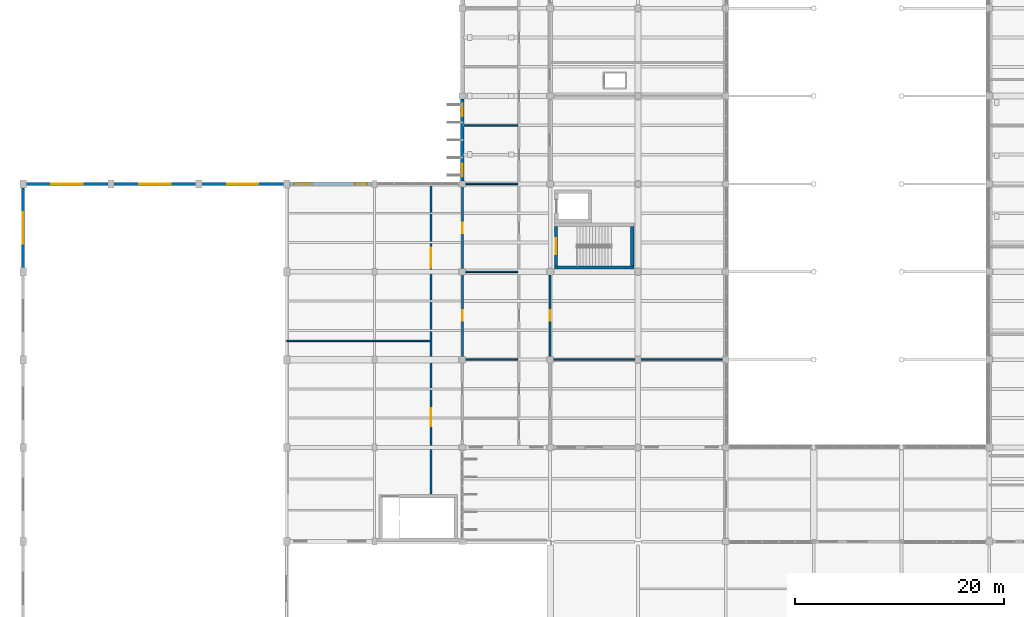
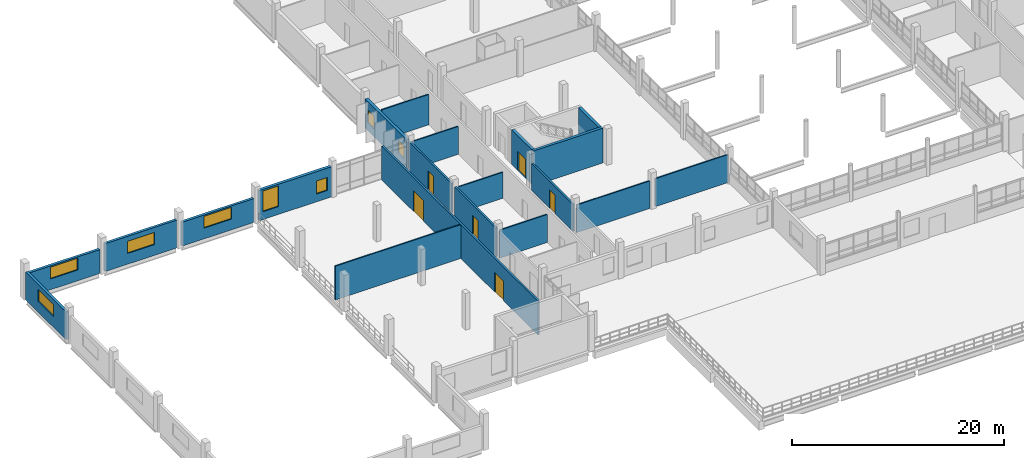
# One storey, part 83 of 101: 20 walls, 8 windows, 6 doors, 14 openings.
"""IFC4 building model written with IfcOpenShell, lengths in metres."""

from ifc_helpers import new_model, si_unit, direction, frame, frame_2d, origin, place, context, subcontext, project, spatial, rectangle, extrude, material, layer, layer_set, type_object, element, fill, save


model = new_model("IFC4")

# Units and contexts
model_context = context("Model", 3, precision=1e-05, world=origin(), true_north=direction((0.0, 1.0)))
body_context = subcontext(model_context, "Body", "Model", "MODEL_VIEW")
ifc_project = project(units=[si_unit("LENGTHUNIT", "METRE"), si_unit("AREAUNIT", "SQUARE_METRE"), si_unit("VOLUMEUNIT", "CUBIC_METRE"), si_unit("PLANEANGLEUNIT", "RADIAN"), si_unit("MASSUNIT", "GRAM", prefix="KILO")], contexts=[model_context])

# Site, building, storey
site_placement = place(None, origin())
site = spatial("IfcSite", under=ifc_project, at=site_placement, CompositionType="ELEMENT")
building_placement = place(site_placement, origin())
building = spatial("IfcBuilding", under=site, at=building_placement, Name="Vireocrest Preparatory School", CompositionType="ELEMENT")
storey_placement = place(building_placement, frame((0.0, 0.0, 4.800048828125)))
storey = spatial("IfcBuildingStorey", under=building, at=storey_placement, Name="L01", CompositionType="ELEMENT", Elevation=4.800048828125)

# Walls
ifc_material_1 = material(Name="Gypsum board on cold-formed steel studs", Category="steel")
ifc_layer_1 = layer(ifc_material_1, 0.139892578125)
ifc_layer_set_1 = layer_set([ifc_layer_1], Name="Gypsum board on cold-formed steel studs")
wall_type_1 = type_object("IfcWallType", Name="Classroom Acoustic Partition Wall 140", PredefinedType="PARTITIONING", material=ifc_layer_set_1)
wall_1_placement = place(storey_placement, frame((25.2099609375, 37.199951171875, 0.0), z_axis=(0.0, 0.0, 1.0), x_axis=(1.0, 0.0, 0.0)))
element("IfcWall", 1, at=wall_1_placement, inside=storey, type_object=wall_type_1, Name="Interior Partition W03 IW_L01_0121", PredefinedType="PARTITIONING", context=body_context, shape_type="SweptSolid", body=[
    extrude(rectangle(XDim=13.68505859375, YDim=0.139892578125, at=frame_2d((6.842529296875, 0.0))), origin(), (0.0, 0.0, 1.0), 3.89990234375),
])
wall_2_placement = place(storey_placement, frame((42.10498046875, 35.39990234375, 0.0), z_axis=(0.0, 0.0, 1.0), x_axis=(1.0, 0.0, 0.0)))
element("IfcWall", 2, at=wall_2_placement, inside=storey, type_object=wall_type_1, Name="Interior Partition W03 IW_L01_0124", PredefinedType="PARTITIONING", context=body_context, shape_type="SweptSolid", body=[
    extrude(rectangle(XDim=5.18994140625, YDim=0.139892578125, at=frame_2d((2.594970703125, 0.0))), origin(), (0.0, 0.0, 1.0), 3.22998046875),
])
wall_3_placement = place(storey_placement, frame((42.10498046875, 43.800048828125, 0.0), z_axis=(0.0, 0.0, 1.0), x_axis=(1.0, 0.0, 0.0)))
element("IfcWall", 3, at=wall_3_placement, inside=storey, type_object=wall_type_1, Name="Interior Partition W03 IW_L01_0125", PredefinedType="PARTITIONING", context=body_context, shape_type="SweptSolid", body=[
    extrude(rectangle(XDim=5.18994140625, YDim=0.139892578125, at=frame_2d((2.594970703125, 0.0))), origin(), (0.0, 0.0, 1.0), 3.010009765625),
])
wall_4_placement = place(storey_placement, frame((42.1650390625, 52.199951171875, 0.0), z_axis=(0.0, 0.0, 1.0), x_axis=(1.0, 0.0, 0.0)))
element("IfcWall", 4, at=wall_4_placement, inside=storey, type_object=wall_type_1, Name="Interior Partition W03 IW_L01_0126", PredefinedType="PARTITIONING", context=body_context, shape_type="SweptSolid", body=[
    extrude(rectangle(XDim=5.1298828125, YDim=0.139892578125, at=frame_2d((2.56494140625, 0.0))), origin(), (0.0, 0.0, 1.0), 3.2099609375),
])
wall_5_placement = place(storey_placement, frame((42.1650390625, 57.800048828125, 0.0), z_axis=(0.0, 0.0, 1.0), x_axis=(1.0, 0.0, 0.0)))
element("IfcWall", 5, at=wall_5_placement, inside=storey, type_object=wall_type_1, Name="Interior Partition W03 IW_L01_0127", PredefinedType="PARTITIONING", context=body_context, shape_type="SweptSolid", body=[
    extrude(rectangle(XDim=5.1298828125, YDim=0.139892578125, at=frame_2d((2.56494140625, 0.0))), origin(), (0.0, 0.0, 1.0), 3.510009765625),
])
wall_6_placement = place(storey_placement, frame((50.5048828125, 35.39990234375, 0.0), z_axis=(0.0, 0.0, 1.0), x_axis=(1.0, 0.0, 0.0)))
element("IfcWall", 6, at=wall_6_placement, inside=storey, type_object=wall_type_1, Name="Interior Partition W03 IW_L01_0135", PredefinedType="PARTITIONING", context=body_context, shape_type="SweptSolid", body=[
    extrude(rectangle(XDim=7.985107421875, YDim=0.139892578125, at=frame_2d((3.99267578125, 0.0))), origin(), (0.0, 0.0, 1.0), 3.179931640625),
])
wall_7_placement = place(storey_placement, frame((59.110107421875, 35.39990234375, 0.0), z_axis=(0.0, 0.0, 1.0), x_axis=(1.0, 0.0, 0.0)))
element("IfcWall", 7, at=wall_7_placement, inside=storey, type_object=wall_type_1, Name="Interior Partition W03 IW_L01_0136", PredefinedType="PARTITIONING", context=body_context, shape_type="SweptSolid", body=[
    extrude(rectangle(XDim=7.96484375, YDim=0.139892578125, at=frame_2d((3.982421875, 0.0))), origin(), (0.0, 0.0, 1.0), 3.22998046875),
])

# Wall, openings, doors
ifc_layer_2 = layer(ifc_material_1, 0.199951171875)
ifc_layer_set_2 = layer_set([ifc_layer_2], Name="Gypsum board on cold-formed steel studs")
wall_type_2 = type_object("IfcWallType", Name="Corridor One-Hour Fire Partition 200", PredefinedType="PARTITIONING", material=ifc_layer_set_2)
wall_8_placement = place(storey_placement, frame((39.0, 22.56005859375, 0.0), z_axis=(0.0, 0.0, 1.0), x_axis=(0.0, 1.0, 0.0)))
wall_8 = element("IfcWall", 8, at=wall_8_placement, inside=storey, type_object=wall_type_2, Name="Interior Partition W06 IW_L01_0122", PredefinedType="PARTITIONING", context=body_context, shape_type="SweptSolid", body=[
    extrude(rectangle(XDim=29.534912109375, YDim=0.199951171875, at=frame_2d((14.767578125, 0.0))), origin(), (0.0, 0.0, 1.0), 3.89990234375),
])
opening_1_placement = place(wall_8_placement, frame((6.465087890625, 0.0, 0.0)))
opening_1 = element("IfcOpeningElement", 9, at=opening_1_placement, cuts=wall_8, Name="Opening D-L01-SG01", PredefinedType="OPENING", context=body_context, shape_type="SweptSolid", body=[
    extrude(rectangle(XDim=1.699951171875, YDim=2.25, at=frame_2d((0.85009765625, 1.125))), frame((0.0, 0.10986328125, 0.0), z_axis=(0.0, -1.0, 0.0), x_axis=(1.0, 0.0, 0.0)), (0.0, 0.0, 1.0), 0.219970703125),
])
opening_2_placement = place(wall_8_placement, frame((21.639892578125, 0.0, 0.0)))
opening_2 = element("IfcOpeningElement", 10, at=opening_2_placement, cuts=wall_8, Name="Opening D-L01-SG02", PredefinedType="OPENING", context=body_context, shape_type="SweptSolid", body=[
    extrude(rectangle(XDim=1.89990234375, YDim=2.39990234375, at=frame_2d((0.949951171875, 1.199951171875))), frame((0.0, 0.10986328125, 0.0), z_axis=(0.0, -1.0, 0.0), x_axis=(1.0, 0.0, 0.0)), (0.0, 0.0, 1.0), 0.219970703125),
])
ifc_material_2 = material(Name="Painted galvanized hollow steel", Category="steel")
door_type_1 = type_object("IfcDoorType", Name="Corridor Cross-Fire Double Door 1700x2250", OperationType="DOUBLE_DOOR_SINGLE_SWING", PredefinedType="DOOR", material=ifc_material_2)
door_1_placement = place(opening_1_placement, origin())
door_1 = element("IfcDoor", 11, at=door_1_placement, inside=storey, type_object=door_type_1, Name="Interior Door D-L01-SG01", OperationType="DOUBLE_DOOR_SINGLE_SWING", OverallHeight=2.25, OverallWidth=1.699951171875, PredefinedType="DOOR", context=body_context, shape_type="SweptSolid", body=[
    extrude(rectangle(XDim=1.699951171875, YDim=2.25, at=frame_2d((0.85009765625, 1.125))), frame((0.0, 0.02490234375, 0.0), z_axis=(0.0, -1.0, 0.0), x_axis=(1.0, 0.0, 0.0)), (0.0, 0.0, 1.0), 0.050048828125),
])
fill(opening_1, door_1)
door_type_2 = type_object("IfcDoorType", Name="Sports Hall Double Door 1900x2400", OperationType="DOUBLE_DOOR_SINGLE_SWING", PredefinedType="DOOR", material=ifc_material_2)
door_2_placement = place(opening_2_placement, origin())
door_2 = element("IfcDoor", 12, at=door_2_placement, inside=storey, type_object=door_type_2, Name="Interior Door D-L01-SG02", OperationType="DOUBLE_DOOR_SINGLE_SWING", OverallHeight=2.39990234375, OverallWidth=1.89990234375, PredefinedType="DOOR", context=body_context, shape_type="SweptSolid", body=[
    extrude(rectangle(XDim=1.89990234375, YDim=2.39990234375, at=frame_2d((0.949951171875, 1.199951171875))), frame((0.0, 0.02490234375, 0.0), z_axis=(0.0, -1.0, 0.0), x_axis=(1.0, 0.0, 0.0)), (0.0, 0.0, 1.0), 0.050048828125),
])
fill(opening_2, door_2)

# Wall, opening, door
wall_9_placement = place(storey_placement, frame((42.0, 35.7099609375, 0.0), z_axis=(0.0, 0.0, 1.0), x_axis=(0.0, 1.0, 0.0)))
wall_9 = element("IfcWall", 13, at=wall_9_placement, inside=storey, type_object=wall_type_2, Name="Interior Partition W06 IW_L01_0133", PredefinedType="PARTITIONING", context=body_context, shape_type="SweptSolid", body=[
    extrude(rectangle(XDim=7.780029296875, YDim=0.199951171875, at=frame_2d((3.89013671875, 0.0))), origin(), (0.0, 0.0, 1.0), 3.35205078125),
])
opening_3_placement = place(wall_9_placement, frame((3.389892578125, 0.0, 0.0)))
opening_3 = element("IfcOpeningElement", 14, at=opening_3_placement, cuts=wall_9, Name="Opening D-L01-G602", PredefinedType="OPENING", context=body_context, shape_type="SweptSolid", body=[
    extrude(rectangle(XDim=1.0, YDim=2.14990234375, at=frame_2d((0.5, 1.074951171875))), frame((0.0, 0.10986328125, 0.0), z_axis=(0.0, -1.0, 0.0), x_axis=(1.0, 0.0, 0.0)), (0.0, 0.0, 1.0), 0.219970703125),
])
ifc_material_3 = material(Name="Solid-core architectural birch timber", Category="wood")
door_type_3 = type_object("IfcDoorType", Name="Classroom Acoustic Timber Door 1000x2150", OperationType="NOTDEFINED", PredefinedType="DOOR", material=ifc_material_3)
door_3_placement = place(opening_3_placement, origin())
door_3 = element("IfcDoor", 15, at=door_3_placement, inside=storey, type_object=door_type_3, Name="Interior Door D-L01-G602", OperationType="SINGLE_SWING_LEFT", OverallHeight=2.14990234375, OverallWidth=1.0, PredefinedType="DOOR", context=body_context, shape_type="SweptSolid", body=[
    extrude(rectangle(XDim=1.0, YDim=2.14990234375, at=frame_2d((0.5, 1.074951171875))), frame((0.0, 0.02490234375, 0.0), z_axis=(0.0, -1.0, 0.0), x_axis=(1.0, 0.0, 0.0)), (0.0, 0.0, 1.0), 0.050048828125),
])
fill(opening_3, door_3)

wall_10_placement = place(storey_placement, frame((42.0, 44.110107421875, 0.0), z_axis=(0.0, 0.0, 1.0), x_axis=(0.0, 1.0, 0.0)))
wall_10 = element("IfcWall", 16, at=wall_10_placement, inside=storey, type_object=wall_type_2, Name="Interior Partition W06 IW_L01_0134", PredefinedType="PARTITIONING", context=body_context, shape_type="SweptSolid", body=[
    extrude(rectangle(XDim=7.98486328125, YDim=0.199951171875, at=frame_2d((3.992431640625, 0.0))), origin(), (0.0, 0.0, 1.0), 3.35205078125),
])
opening_4_placement = place(wall_10_placement, frame((3.389892578125, 0.0, 0.0)))
opening_4 = element("IfcOpeningElement", 17, at=opening_4_placement, cuts=wall_10, Name="Opening D-L01-G603", PredefinedType="OPENING", context=body_context, shape_type="SweptSolid", body=[
    extrude(rectangle(XDim=1.0, YDim=2.14990234375, at=frame_2d((0.5, 1.074951171875))), frame((0.0, 0.10986328125, 0.0), z_axis=(0.0, -1.0, 0.0), x_axis=(1.0, 0.0, 0.0)), (0.0, 0.0, 1.0), 0.219970703125),
])
door_4_placement = place(opening_4_placement, origin())
door_4 = element("IfcDoor", 18, at=door_4_placement, inside=storey, type_object=door_type_3, Name="Interior Door D-L01-G603", OperationType="SINGLE_SWING_RIGHT", OverallHeight=2.14990234375, OverallWidth=1.0, PredefinedType="DOOR", context=body_context, shape_type="SweptSolid", body=[
    extrude(rectangle(XDim=1.0, YDim=2.14990234375, at=frame_2d((0.5, 1.074951171875))), frame((0.0, 0.02490234375, 0.0), z_axis=(0.0, -1.0, 0.0), x_axis=(1.0, 0.0, 0.0)), (0.0, 0.0, 1.0), 0.050048828125),
])
fill(opening_4, door_4)

wall_11_placement = place(storey_placement, frame((50.39990234375, 35.7099609375, 0.0), z_axis=(0.0, 0.0, 1.0), x_axis=(0.0, 1.0, 0.0)))
wall_11 = element("IfcWall", 19, at=wall_11_placement, inside=storey, type_object=wall_type_2, Name="Interior Partition W06 IW_L01_0138", PredefinedType="PARTITIONING", context=body_context, shape_type="SweptSolid", body=[
    extrude(rectangle(XDim=7.780029296875, YDim=0.199951171875, at=frame_2d((3.89013671875, 0.0))), origin(), (0.0, 0.0, 1.0), 3.10986328125),
])
opening_5_placement = place(wall_11_placement, frame((3.389892578125, 0.0, 0.0)))
opening_5 = element("IfcOpeningElement", 20, at=opening_5_placement, cuts=wall_11, Name="Opening D-L01-W1E02", PredefinedType="OPENING", context=body_context, shape_type="SweptSolid", body=[
    extrude(rectangle(XDim=1.0, YDim=2.14990234375, at=frame_2d((0.5, 1.074951171875))), frame((0.0, 0.10986328125, 0.0), z_axis=(0.0, -1.0, 0.0), x_axis=(1.0, 0.0, 0.0)), (0.0, 0.0, 1.0), 0.219970703125),
])
door_5_placement = place(opening_5_placement, origin())
door_5 = element("IfcDoor", 21, at=door_5_placement, inside=storey, type_object=door_type_3, Name="Interior Door D-L01-W1E02", OperationType="SINGLE_SWING_RIGHT", OverallHeight=2.14990234375, OverallWidth=1.0, PredefinedType="DOOR", context=body_context, shape_type="SweptSolid", body=[
    extrude(rectangle(XDim=1.0, YDim=2.14990234375, at=frame_2d((0.5, 1.074951171875))), frame((0.0, 0.02490234375, 0.0), z_axis=(0.0, -1.0, 0.0), x_axis=(1.0, 0.0, 0.0)), (0.0, 0.0, 1.0), 0.050048828125),
])
fill(opening_5, door_5)

# Wall, openings, windows
ifc_material_4 = material(Name="Precast white concrete 40 MPa", Category="concrete")
ifc_layer_3 = layer(ifc_material_4, 0.320068359375)
ifc_layer_set_3 = layer_set([ifc_layer_3], Name="Precast white concrete 40 MPa")
wall_type_3 = type_object("IfcWallType", Name="High-Tech Insulated Rainscreen External Wall 320", PredefinedType="SOLIDWALL", material=ifc_layer_set_3)
wall_12_placement = place(storey_placement, frame((42.0, 52.47509765625, 0.0), z_axis=(0.0, 0.0, 1.0), x_axis=(0.0, 1.0, 0.0)))
wall_12 = element("IfcWall", 22, at=wall_12_placement, inside=storey, type_object=wall_type_3, Name="External Wall W12 EW_L01_0177", PredefinedType="SOLIDWALL", context=body_context, shape_type="SweptSolid", body=[
    extrude(rectangle(XDim=7.849853515625, YDim=0.320068359375, at=frame_2d((3.9248046875, 0.0))), origin(), (0.0, 0.0, 1.0), 3.35205078125),
])
opening_6_placement = place(wall_12_placement, frame((0.449951171875, 0.0, 0.85009765625)))
opening_6 = element("IfcOpeningElement", 23, at=opening_6_placement, cuts=wall_12, Name="Opening WN01", PredefinedType="OPENING", context=body_context, shape_type="SweptSolid", body=[
    extrude(rectangle(XDim=1.199951171875, YDim=1.5, at=frame_2d((0.60009765625, 0.75))), frame((0.0, 0.169921875, 0.0), z_axis=(0.0, -1.0, 0.0), x_axis=(1.0, 0.0, 0.0)), (0.0, 0.0, 1.0), 0.340087890625),
])
opening_7_placement = place(wall_12_placement, frame((6.199951171875, 0.0, 0.85009765625)))
opening_7 = element("IfcOpeningElement", 24, at=opening_7_placement, cuts=wall_12, Name="Opening WN01", PredefinedType="OPENING", context=body_context, shape_type="SweptSolid", body=[
    extrude(rectangle(XDim=1.199951171875, YDim=1.5, at=frame_2d((0.60009765625, 0.75))), frame((0.0, 0.169921875, 0.0), z_axis=(0.0, -1.0, 0.0), x_axis=(1.0, 0.0, 0.0)), (0.0, 0.0, 1.0), 0.340087890625),
])
ifc_material_5 = material(Name="Thermally broken aluminium EN AW-6063-T6", Category="aluminium")
window_type_1 = type_object("IfcWindowType", Name="Office Punched Window 1200x1500", PartitioningType="SINGLE_PANEL", PredefinedType="WINDOW", material=ifc_material_5)
window_1_placement = place(opening_6_placement, origin())
window_1 = element("IfcWindow", 25, at=window_1_placement, inside=storey, type_object=window_type_1, Name="Window W-L01-072 (WN01)", OverallHeight=1.5, OverallWidth=1.199951171875, PartitioningType="SINGLE_PANEL", PredefinedType="WINDOW", context=body_context, shape_type="SweptSolid", body=[
    extrude(rectangle(XDim=1.199951171875, YDim=1.5, at=frame_2d((0.60009765625, 0.75))), frame((0.0, 0.030029296875, 0.0), z_axis=(0.0, -1.0, 0.0), x_axis=(1.0, 0.0, 0.0)), (0.0, 0.0, 1.0), 0.06005859375),
])
fill(opening_6, window_1)
window_2_placement = place(opening_7_placement, origin())
window_2 = element("IfcWindow", 26, at=window_2_placement, inside=storey, type_object=window_type_1, Name="Window W-L01-073 (WN01)", OverallHeight=1.5, OverallWidth=1.199951171875, PartitioningType="SINGLE_PANEL", PredefinedType="WINDOW", context=body_context, shape_type="SweptSolid", body=[
    extrude(rectangle(XDim=1.199951171875, YDim=1.5, at=frame_2d((0.60009765625, 0.75))), frame((0.0, 0.030029296875, 0.0), z_axis=(0.0, -1.0, 0.0), x_axis=(1.0, 0.0, 0.0)), (0.0, 0.0, 1.0), 0.06005859375),
])
fill(opening_7, window_2)

wall_13_placement = place(storey_placement, frame((25.47509765625, 52.199951171875, 0.0), z_axis=(0.0, 0.0, 1.0), x_axis=(1.0, 0.0, 0.0)))
wall_13 = element("IfcWall", 27, at=wall_13_placement, inside=storey, type_object=wall_type_3, Name="External Wall W12 EW_L01_0181", PredefinedType="SOLIDWALL", context=body_context, shape_type="SweptSolid", body=[
    extrude(rectangle(XDim=7.89990234375, YDim=0.320068359375, at=frame_2d((3.949951171875, 0.0))), origin(), (0.0, 0.0, 1.0), 3.47998046875),
])
opening_8_placement = place(wall_13_placement, frame((0.449951171875, 0.0, 0.89990234375)))
opening_8 = element("IfcOpeningElement", 28, at=opening_8_placement, cuts=wall_13, Name="Opening WN07", PredefinedType="OPENING", context=body_context, shape_type="SweptSolid", body=[
    extrude(rectangle(XDim=1.679931640625, YDim=2.39990234375, at=frame_2d((0.83984375, 1.199951171875))), frame((0.0, 0.169921875, 0.0), z_axis=(0.0, -1.0, 0.0), x_axis=(1.0, 0.0, 0.0)), (0.0, 0.0, 1.0), 0.340087890625),
])
opening_9_placement = place(wall_13_placement, frame((6.25, 0.0, 0.89990234375)))
opening_9 = element("IfcOpeningElement", 29, at=opening_9_placement, cuts=wall_13, Name="Opening WN01", PredefinedType="OPENING", context=body_context, shape_type="SweptSolid", body=[
    extrude(rectangle(XDim=1.199951171875, YDim=1.5, at=frame_2d((0.60009765625, 0.75))), frame((0.0, 0.169921875, 0.0), z_axis=(0.0, -1.0, 0.0), x_axis=(1.0, 0.0, 0.0)), (0.0, 0.0, 1.0), 0.340087890625),
])
window_type_2 = type_object("IfcWindowType", Name="Module Lab Window 1680x2400", PartitioningType="SINGLE_PANEL", PredefinedType="WINDOW", material=ifc_material_5)
window_3_placement = place(opening_8_placement, origin())
window_3 = element("IfcWindow", 30, at=window_3_placement, inside=storey, type_object=window_type_2, Name="Window W-L01-074 (WN07)", OverallHeight=2.39990234375, OverallWidth=1.679931640625, PartitioningType="SINGLE_PANEL", PredefinedType="WINDOW", context=body_context, shape_type="SweptSolid", body=[
    extrude(rectangle(XDim=1.679931640625, YDim=2.39990234375, at=frame_2d((0.83984375, 1.199951171875))), frame((0.0, 0.030029296875, 0.0), z_axis=(0.0, -1.0, 0.0), x_axis=(1.0, 0.0, 0.0)), (0.0, 0.0, 1.0), 0.06005859375),
])
fill(opening_8, window_3)
window_4_placement = place(opening_9_placement, origin())
window_4 = element("IfcWindow", 31, at=window_4_placement, inside=storey, type_object=window_type_1, Name="Window W-L01-075 (WN01)", OverallHeight=1.5, OverallWidth=1.199951171875, PartitioningType="SINGLE_PANEL", PredefinedType="WINDOW", context=body_context, shape_type="SweptSolid", body=[
    extrude(rectangle(XDim=1.199951171875, YDim=1.5, at=frame_2d((0.60009765625, 0.75))), frame((0.0, 0.030029296875, 0.0), z_axis=(0.0, -1.0, 0.0), x_axis=(1.0, 0.0, 0.0)), (0.0, 0.0, 1.0), 0.06005859375),
])
fill(opening_9, window_4)

# Wall, opening, window
ifc_layer_4 = layer(ifc_material_4, 0.280029296875)
ifc_layer_set_4 = layer_set([ifc_layer_4], Name="Precast white concrete 40 MPa")
wall_type_4 = type_object("IfcWallType", Name="Insulated Hall Precast Cladding Wall 280", PredefinedType="SOLIDWALL", material=ifc_layer_set_4)
wall_14_placement = place(storey_placement, frame((0.27490234375, 52.199951171875, 0.0), z_axis=(0.0, 0.0, 1.0), x_axis=(1.0, 0.0, 0.0)))
wall_14 = element("IfcWall", 32, at=wall_14_placement, inside=storey, type_object=wall_type_4, Name="External Wall W10 EW_L01_0183", PredefinedType="SOLIDWALL", context=body_context, shape_type="SweptSolid", body=[
    extrude(rectangle(XDim=7.85009765625, YDim=0.280029296875, at=frame_2d((3.925048828125, 0.0))), origin(), (0.0, 0.0, 1.0), 2.758544921875),
])
opening_10_placement = place(wall_14_placement, frame((2.425048828125, 0.0, 1.25)))
opening_10 = element("IfcOpeningElement", 33, at=opening_10_placement, cuts=wall_14, Name="Opening WN20", PredefinedType="OPENING", context=body_context, shape_type="SweptSolid", body=[
    extrude(rectangle(XDim=3.0, YDim=1.35888671875, at=frame_2d((1.5, 0.679443359375))), frame((0.0, 0.14990234375, 0.0), z_axis=(0.0, -1.0, 0.0), x_axis=(1.0, 0.0, 0.0)), (0.0, 0.0, 1.0), 0.300048828125),
])
window_type_3 = type_object("IfcWindowType", Name="Sports Hall High Clerestory Window 3000x1400", PartitioningType="DOUBLE_PANEL_VERTICAL", PredefinedType="WINDOW", material=ifc_material_5)
window_5_placement = place(opening_10_placement, origin())
window_5 = element("IfcWindow", 34, at=window_5_placement, inside=storey, type_object=window_type_3, Name="Window W-L01-076 (WN20)", OverallHeight=1.35888671875, OverallWidth=3.0, PartitioningType="SINGLE_PANEL", PredefinedType="WINDOW", context=body_context, shape_type="SweptSolid", body=[
    extrude(rectangle(XDim=3.0, YDim=1.35888671875, at=frame_2d((1.5, 0.679443359375))), frame((0.0, 0.030029296875, 0.0), z_axis=(0.0, -1.0, 0.0), x_axis=(1.0, 0.0, 0.0)), (0.0, 0.0, 1.0), 0.06005859375),
])
fill(opening_10, window_5)

wall_15_placement = place(storey_placement, frame((8.675048828125, 52.199951171875, 0.0), z_axis=(0.0, 0.0, 1.0), x_axis=(1.0, 0.0, 0.0)))
wall_15 = element("IfcWall", 35, at=wall_15_placement, inside=storey, type_object=wall_type_4, Name="External Wall W10 EW_L01_0184", PredefinedType="SOLIDWALL", context=body_context, shape_type="SweptSolid", body=[
    extrude(rectangle(XDim=7.849853515625, YDim=0.280029296875, at=frame_2d((3.9248046875, 0.0))), origin(), (0.0, 0.0, 1.0), 3.221923828125),
])
opening_11_placement = place(wall_15_placement, frame((2.425048828125, 0.0, 1.25)))
opening_11 = element("IfcOpeningElement", 36, at=opening_11_placement, cuts=wall_15, Name="Opening WN20", PredefinedType="OPENING", context=body_context, shape_type="SweptSolid", body=[
    extrude(rectangle(XDim=3.0, YDim=1.39990234375, at=frame_2d((1.5, 0.699951171875))), frame((0.0, 0.14990234375, 0.0), z_axis=(0.0, -1.0, 0.0), x_axis=(1.0, 0.0, 0.0)), (0.0, 0.0, 1.0), 0.300048828125),
])
window_6_placement = place(opening_11_placement, origin())
window_6 = element("IfcWindow", 37, at=window_6_placement, inside=storey, type_object=window_type_3, Name="Window W-L01-077 (WN20)", OverallHeight=1.39990234375, OverallWidth=3.0, PartitioningType="SINGLE_PANEL", PredefinedType="WINDOW", context=body_context, shape_type="SweptSolid", body=[
    extrude(rectangle(XDim=3.0, YDim=1.39990234375, at=frame_2d((1.5, 0.699951171875))), frame((0.0, 0.030029296875, 0.0), z_axis=(0.0, -1.0, 0.0), x_axis=(1.0, 0.0, 0.0)), (0.0, 0.0, 1.0), 0.06005859375),
])
fill(opening_11, window_6)

wall_16_placement = place(storey_placement, frame((17.074951171875, 52.199951171875, 0.0), z_axis=(0.0, 0.0, 1.0), x_axis=(1.0, 0.0, 0.0)))
wall_16 = element("IfcWall", 38, at=wall_16_placement, inside=storey, type_object=wall_type_4, Name="External Wall W10 EW_L01_0185", PredefinedType="SOLIDWALL", context=body_context, shape_type="SweptSolid", body=[
    extrude(rectangle(XDim=7.85009765625, YDim=0.280029296875, at=frame_2d((3.925048828125, 0.0))), origin(), (0.0, 0.0, 1.0), 2.758544921875),
])
opening_12_placement = place(wall_16_placement, frame((2.425048828125, 0.0, 1.25)))
opening_12 = element("IfcOpeningElement", 39, at=opening_12_placement, cuts=wall_16, Name="Opening WN20", PredefinedType="OPENING", context=body_context, shape_type="SweptSolid", body=[
    extrude(rectangle(XDim=3.0, YDim=1.35888671875, at=frame_2d((1.5, 0.679443359375))), frame((0.0, 0.14990234375, 0.0), z_axis=(0.0, -1.0, 0.0), x_axis=(1.0, 0.0, 0.0)), (0.0, 0.0, 1.0), 0.300048828125),
])
window_7_placement = place(opening_12_placement, origin())
window_7 = element("IfcWindow", 40, at=window_7_placement, inside=storey, type_object=window_type_3, Name="Window W-L01-078 (WN20)", OverallHeight=1.35888671875, OverallWidth=3.0, PartitioningType="SINGLE_PANEL", PredefinedType="WINDOW", context=body_context, shape_type="SweptSolid", body=[
    extrude(rectangle(XDim=3.0, YDim=1.35888671875, at=frame_2d((1.5, 0.679443359375))), frame((0.0, 0.030029296875, 0.0), z_axis=(0.0, -1.0, 0.0), x_axis=(1.0, 0.0, 0.0)), (0.0, 0.0, 1.0), 0.06005859375),
])
fill(opening_12, window_7)

wall_17_placement = place(storey_placement, frame((0.0, 44.175048828125, 0.0), z_axis=(0.0, 0.0, 1.0), x_axis=(0.0, 1.0, 0.0)))
wall_17 = element("IfcWall", 41, at=wall_17_placement, inside=storey, type_object=wall_type_4, Name="External Wall W10 EW_L01_0190", PredefinedType="SOLIDWALL", context=body_context, shape_type="SweptSolid", body=[
    extrude(rectangle(XDim=7.64990234375, YDim=0.280029296875, at=frame_2d((3.824951171875, 0.0))), origin(), (0.0, 0.0, 1.0), 3.221923828125),
])
opening_13_placement = place(wall_17_placement, frame((2.324951171875, 0.0, 1.25)))
opening_13 = element("IfcOpeningElement", 42, at=opening_13_placement, cuts=wall_17, Name="Opening WN20", PredefinedType="OPENING", context=body_context, shape_type="SweptSolid", body=[
    extrude(rectangle(XDim=3.0, YDim=1.39990234375, at=frame_2d((1.5, 0.699951171875))), frame((0.0, 0.14990234375, 0.0), z_axis=(0.0, -1.0, 0.0), x_axis=(1.0, 0.0, 0.0)), (0.0, 0.0, 1.0), 0.300048828125),
])
window_8_placement = place(opening_13_placement, origin())
window_8 = element("IfcWindow", 43, at=window_8_placement, inside=storey, type_object=window_type_3, Name="Window W-L01-083 (WN20)", OverallHeight=1.39990234375, OverallWidth=3.0, PartitioningType="SINGLE_PANEL", PredefinedType="WINDOW", context=body_context, shape_type="SweptSolid", body=[
    extrude(rectangle(XDim=3.0, YDim=1.39990234375, at=frame_2d((1.5, 0.699951171875))), frame((0.0, 0.030029296875, 0.0), z_axis=(0.0, -1.0, 0.0), x_axis=(1.0, 0.0, 0.0)), (0.0, 0.0, 1.0), 0.06005859375),
])
fill(opening_13, window_8)

# Wall
ifc_material_6 = material(Name="Concrete 45 MPa", Category="concrete")
ifc_layer_5 = layer(ifc_material_6, 0.300048828125)
ifc_layer_set_5 = layer_set([ifc_layer_5], Name="Concrete 45 MPa")
wall_type_5 = type_object("IfcWallType", Name="Two-Hour RC Stair Shaft Shear Wall 300", PredefinedType="SHEAR", material=ifc_layer_set_5)
wall_18_placement = place(storey_placement, frame((50.800048828125, 44.199951171875, 0.0), z_axis=(0.0, 0.0, 1.0), x_axis=(1.0, 0.0, 0.0)))
element("IfcWall", 44, at=wall_18_placement, inside=storey, type_object=wall_type_5, Name="Stair Core Shear Wall ST1 L01-S", PredefinedType="SHEAR", context=body_context, shape_type="SweptSolid", body=[
    extrude(rectangle(XDim=7.599853515625, YDim=0.300048828125, at=frame_2d((3.7998046875, 0.0))), origin(), (0.0, 0.0, 1.0), 4.02490234375),
])

# Wall, opening, door
wall_19_placement = place(storey_placement, frame((50.949951171875, 44.35009765625, 0.0), z_axis=(0.0, 0.0, 1.0), x_axis=(0.0, 1.0, 0.0)))
wall_19 = element("IfcWall", 45, at=wall_19_placement, inside=storey, type_object=wall_type_5, Name="Stair Core Shear Wall ST1 L01-W", PredefinedType="SHEAR", context=body_context, shape_type="SweptSolid", body=[
    extrude(rectangle(XDim=3.7998046875, YDim=0.300048828125, at=frame_2d((1.89990234375, 0.0))), origin(), (0.0, 0.0, 1.0), 4.02490234375),
])
opening_14_placement = place(wall_19_placement, frame((1.14990234375, 0.0, 0.0)))
opening_14 = element("IfcOpeningElement", 46, at=opening_14_placement, cuts=wall_19, Name="Opening SD-ST1-L01", PredefinedType="OPENING", context=body_context, shape_type="SweptSolid", body=[
    extrude(rectangle(XDim=1.5, YDim=2.199951171875, at=frame_2d((0.75, 1.10009765625))), frame((0.0, 0.159912109375, 0.0), z_axis=(0.0, -1.0, 0.0), x_axis=(1.0, 0.0, 0.0)), (0.0, 0.0, 1.0), 0.320068359375),
])
door_type_4 = type_object("IfcDoorType", Name="Stair Enclosure Fire Door 1500x2200", OperationType="DOUBLE_DOOR_SINGLE_SWING", PredefinedType="DOOR", material=ifc_material_2)
door_6_placement = place(opening_14_placement, origin())
door_6 = element("IfcDoor", 47, at=door_6_placement, inside=storey, type_object=door_type_4, Name="Stair Enclosure Fire Door SD-ST1-L01", OperationType="DOUBLE_DOOR_SINGLE_SWING", OverallHeight=2.199951171875, OverallWidth=1.5, PredefinedType="DOOR", context=body_context, shape_type="SweptSolid", body=[
    extrude(rectangle(XDim=1.5, YDim=2.199951171875, at=frame_2d((0.75, 1.10009765625))), frame((0.0, 0.02490234375, 0.0), z_axis=(0.0, -1.0, 0.0), x_axis=(1.0, 0.0, 0.0)), (0.0, 0.0, 1.0), 0.050048828125),
])
fill(opening_14, door_6)

# Wall
wall_20_placement = place(storey_placement, frame((58.25, 44.35009765625, 0.0), z_axis=(0.0, 0.0, 1.0), x_axis=(0.0, 1.0, 0.0)))
element("IfcWall", 48, at=wall_20_placement, inside=storey, type_object=wall_type_5, Name="Stair Core Shear Wall ST1 L01-E", PredefinedType="SHEAR", context=body_context, shape_type="SweptSolid", body=[
    extrude(rectangle(XDim=3.7998046875, YDim=0.300048828125, at=frame_2d((1.89990234375, 0.0))), origin(), (0.0, 0.0, 1.0), 4.02490234375),
])

save(model, "model.ifc")
